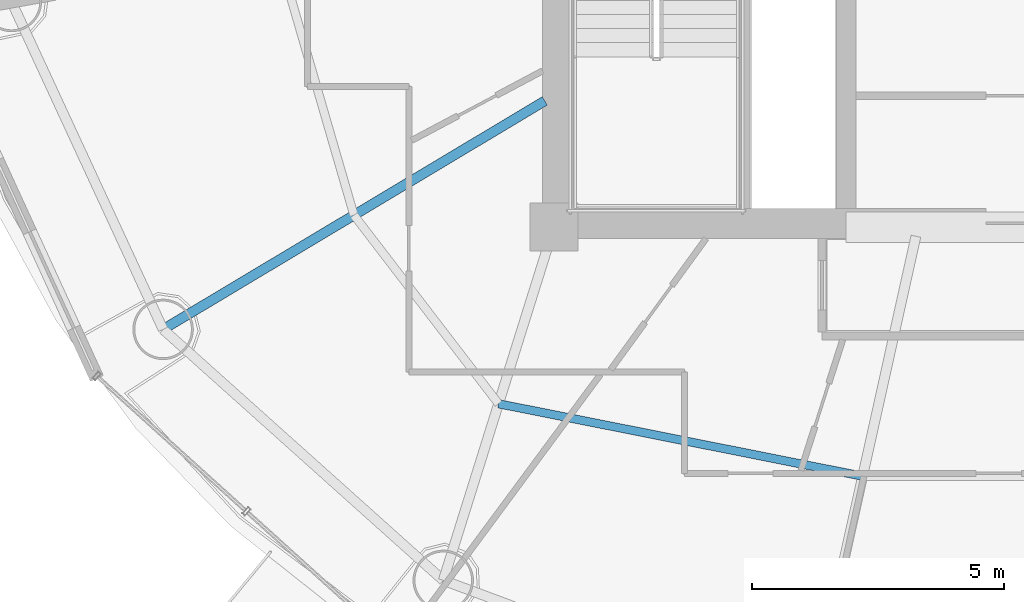
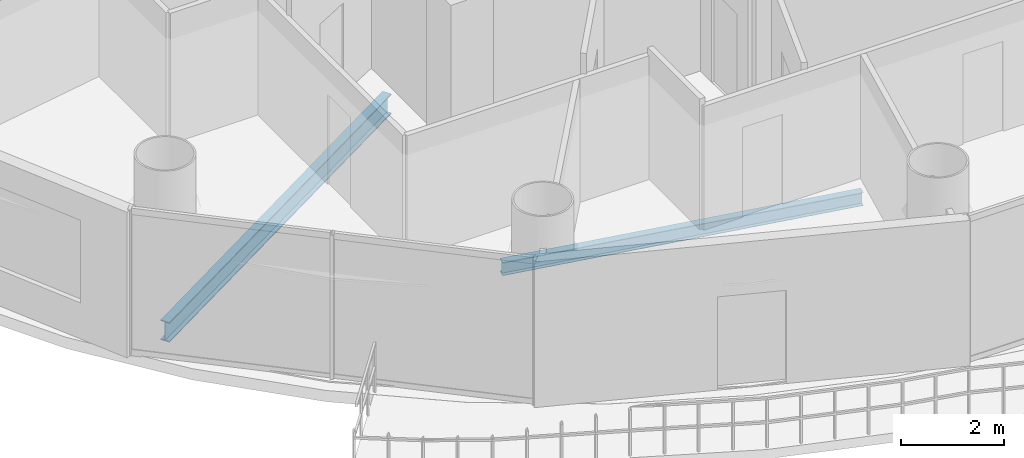
# One storey, part 4 of 27: 2 beams.
"""IFC4 building model written with IfcOpenShell, lengths in metres."""

from ifc_helpers import new_model, si_unit, direction, frame, origin, origin_2d, place, context, subcontext, project, spatial, i_section, extrude, material, material_profile, profile_set, type_object, element, save


model = new_model("IFC4")

# Units and contexts
model_context = context("Model", 3, precision=1e-05, world=origin(), true_north=direction((-0.2419218956, 0.970295726276)))
body_context = subcontext(model_context, "Body", "Model", "MODEL_VIEW")
ifc_project = project(units=[si_unit("LENGTHUNIT", "METRE"), si_unit("AREAUNIT", "SQUARE_METRE"), si_unit("VOLUMEUNIT", "CUBIC_METRE"), si_unit("PLANEANGLEUNIT", "RADIAN"), si_unit("MASSUNIT", "GRAM", prefix="KILO")], contexts=[model_context])

# Site, building, storey
site_placement = place(None, origin())
site = spatial("IfcSite", under=ifc_project, at=site_placement, CompositionType="ELEMENT")
building_placement = place(site_placement, origin())
building = spatial("IfcBuilding", under=site, at=building_placement, Name="Cobrevalo Terracotta Tower", CompositionType="ELEMENT")
storey_placement = place(building_placement, frame((0.0, 0.0, 198.60009765625)))
storey = spatial("IfcBuildingStorey", under=building, at=storey_placement, Name="L52", CompositionType="ELEMENT", Elevation=198.60009765625)

# Beams
ifc_material = material(Name="Steel S355", Category="steel")
ifc_material_profile_1 = material_profile(ifc_material, i_section(OverallWidth=0.194091796875, OverallDepth=0.468994140625, WebThickness=0.011474609375, FlangeThickness=0.0205078125, at=origin_2d()), Name="W 460x106")
ifc_profile_set_1 = profile_set([ifc_material_profile_1], Name="Steel S355")
beam_type_1 = type_object("IfcBeamType", Name="Structural Beam W 460x106 (Steel S355)", PredefinedType="BEAM", material=ifc_profile_set_1)
beam_1_placement = place(storey_placement, frame((21.245849609375, 16.77197265625, -0.49951171875), z_axis=(0.858046392192, 0.513572184651, 0.0), x_axis=(-0.513572184651, 0.858046392192, 0.0)))
element("IfcBeam", 1, at=beam_1_placement, inside=storey, type_object=beam_type_1, Name="L52 radial floor girder 10", PredefinedType="BEAM", context=body_context, shape_type="SweptSolid", body=[
    extrude(i_section(OverallWidth=0.194091796875, OverallDepth=0.468994140625, WebThickness=0.011474609375, FlangeThickness=0.0205078125, at=origin_2d()), origin(), (0.0, 0.0, 1.0), 8.827392578125),
])
ifc_material_profile_2 = material_profile(ifc_material, i_section(OverallWidth=0.1650390625, OverallDepth=0.31005859375, WebThickness=0.005859375, FlangeThickness=0.009765625, at=origin_2d()), Name="W 310x38.7")
ifc_profile_set_2 = profile_set([ifc_material_profile_2], Name="Steel S355")
beam_type_2 = type_object("IfcBeamType", Name="Structural Joist W 310x38.7 (Steel S355)", PredefinedType="JOIST", material=ifc_profile_set_2)
beam_2_placement = place(storey_placement, frame((27.902587890625, 15.2958984375, -0.420166015625), z_axis=(0.980768907748, -0.195172614871, 0.0), x_axis=(0.195172614871, 0.980768907748, 0.0)))
element("IfcBeam", 2, at=beam_2_placement, inside=storey, type_object=beam_type_2, Name="L52 circumferential secondary floor joist 11", PredefinedType="JOIST", context=body_context, shape_type="SweptSolid", body=[
    extrude(i_section(OverallWidth=0.1650390625, OverallDepth=0.31005859375, WebThickness=0.005859375, FlangeThickness=0.009765625, at=origin_2d()), origin(), (0.0, 0.0, 1.0), 7.365234375),
])

save(model, "model.ifc")
